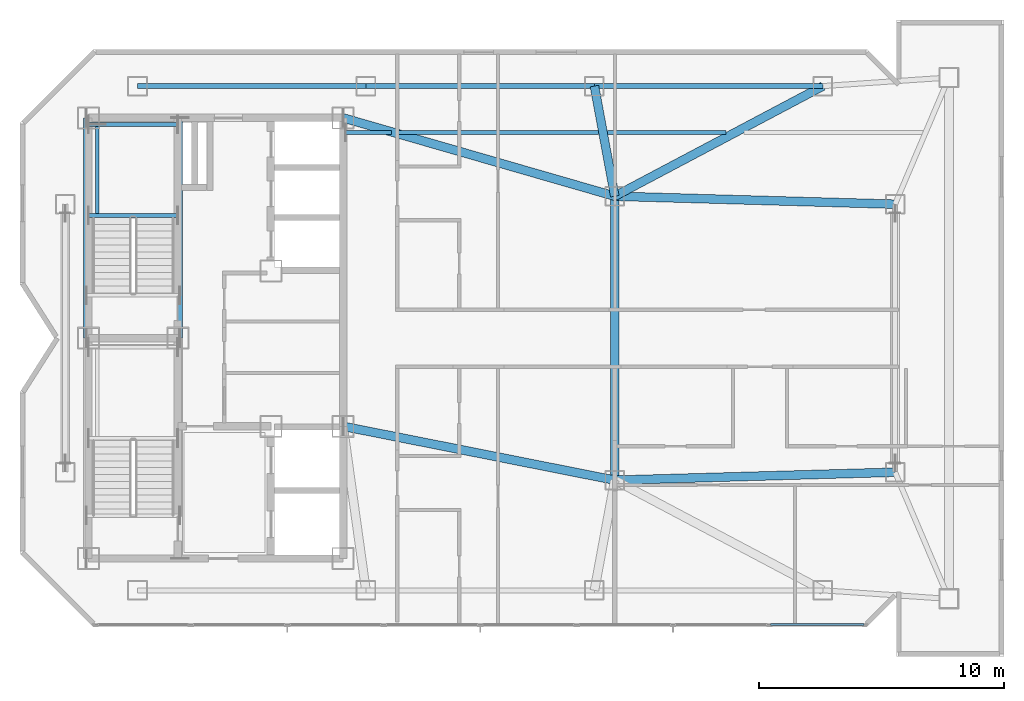
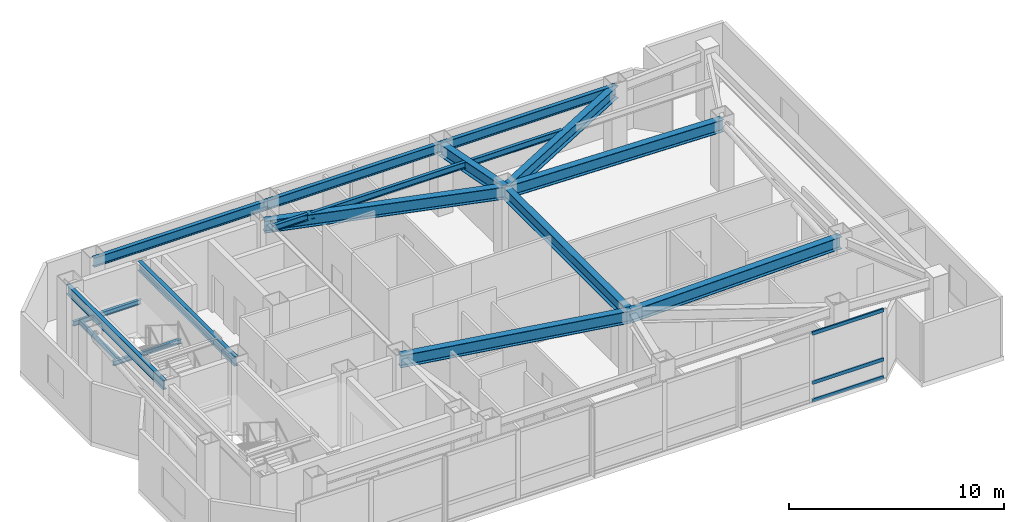
# One storey, part 5 of 12: 18 beams, 3 members, 1 element without a shape of its own.
"""IFC4 building model written with IfcOpenShell, lengths in metres."""

from ifc_helpers import new_model, si_unit, direction, frame, origin, origin_2d, place, context, subcontext, project, spatial, hollow_rectangle, i_section, extrude, material, material_profile, profile_set, type_object, element, aggregate, save


model = new_model("IFC4")

# Units and contexts
model_context = context("Model", 3, precision=1e-05, world=origin(), true_north=direction((0.0, 1.0)))
body_context = subcontext(model_context, "Body", "Model", "MODEL_VIEW")
ifc_project = project(units=[si_unit("LENGTHUNIT", "METRE"), si_unit("AREAUNIT", "SQUARE_METRE"), si_unit("VOLUMEUNIT", "CUBIC_METRE"), si_unit("PLANEANGLEUNIT", "RADIAN"), si_unit("MASSUNIT", "GRAM", prefix="KILO")], contexts=[model_context])

# Site, building, storey
site_placement = place(None, origin())
site = spatial("IfcSite", under=ifc_project, at=site_placement, CompositionType="ELEMENT")
building_placement = place(site_placement, origin())
building = spatial("IfcBuilding", under=site, at=building_placement, Name="Khamvora Tower", CompositionType="ELEMENT")
storey_placement = place(building_placement, frame((0.0, 0.0, 298.85009765625)))
storey = spatial("IfcBuildingStorey", under=building, at=storey_placement, Name="L76", CompositionType="ELEMENT", Elevation=298.85009765625)

# Beams
ifc_material_1 = material(Name="Steel S355", Category="steel")
ifc_material_profile_1 = material_profile(ifc_material_1, i_section(OverallWidth=0.1708984375, OverallDepth=0.35498046875, WebThickness=0.007080078125, FlangeThickness=0.011962890625, FilletRadius=0.010009765625, at=origin_2d()), Name="W360x51")
ifc_profile_set_1 = profile_set([ifc_material_profile_1], Name="Steel S355")
beam_type_1 = type_object("IfcBeamType", Name="BM-JS-W360x51", PredefinedType="JOIST", material=ifc_profile_set_1)
beam_1_placement = place(storey_placement, frame((39.4990234375, 36.39990234375, 3.702880859375), z_axis=(1.0, 0.0, 0.0), x_axis=(0.0, 1.0, 0.0)))
element("IfcBeam", 1, at=beam_1_placement, inside=storey, type_object=beam_type_1, Name="L76 secondary floor joist 04", PredefinedType="JOIST", context=body_context, shape_type="SweptSolid", body=[
    extrude(i_section(OverallWidth=0.1708984375, OverallDepth=0.35498046875, WebThickness=0.007080078125, FlangeThickness=0.011962890625, FilletRadius=0.010009765625, at=origin_2d()), origin(), (0.0, 0.0, 1.0), 1.886962890625),
])
beam_2_placement = place(storey_placement, frame((41.575927734375, 36.39990234375, 3.702880859375), z_axis=(1.0, 0.0, 0.0), x_axis=(0.0, 1.0, 0.0)))
element("IfcBeam", 2, at=beam_2_placement, inside=storey, type_object=beam_type_1, Name="L76 secondary floor joist 05", PredefinedType="JOIST", context=body_context, shape_type="SweptSolid", body=[
    extrude(i_section(OverallWidth=0.1708984375, OverallDepth=0.35498046875, WebThickness=0.007080078125, FlangeThickness=0.011962890625, FilletRadius=0.010009765625, at=origin_2d()), origin(), (0.0, 0.0, 1.0), 8.26708984375),
])
beam_3_placement = place(storey_placement, frame((50.194091796875, 36.39990234375, 3.702880859375), z_axis=(1.0, 0.0, 0.0), x_axis=(0.0, 1.0, 0.0)))
element("IfcBeam", 3, at=beam_3_placement, inside=storey, type_object=beam_type_1, Name="L76 secondary floor joist 06", PredefinedType="JOIST", context=body_context, shape_type="SweptSolid", body=[
    extrude(i_section(OverallWidth=0.1708984375, OverallDepth=0.35498046875, WebThickness=0.007080078125, FlangeThickness=0.011962890625, FilletRadius=0.010009765625, at=origin_2d()), origin(), (0.0, 0.0, 1.0), 4.843017578125),
])
ifc_material_profile_2 = material_profile(ifc_material_1, i_section(OverallWidth=0.14697265625, OverallDepth=0.261962890625, WebThickness=0.007080078125, FlangeThickness=0.010986328125, FilletRadius=0.008056640625, at=origin_2d()), Name="W250x39")
ifc_profile_set_2 = profile_set([ifc_material_profile_2], Name="Steel S355")
beam_type_2 = type_object("IfcBeamType", Name="BM-LN-W250x39", PredefinedType="LINTEL", material=ifc_profile_set_2)
for number, where, z_axis, x_axis, name in (
    (4, (29.0, 33.014892578125, 1.768798828125), (1.0, 0.0, 0.0), (0.0, 1.0, 0.0), "L76 ST-02 half-landing support beam 1.1"),
    (5, (29.0, 36.72998046875, 1.768798828125), (1.0, 0.0, 0.0), (0.0, 1.0, 0.0), "L76 ST-02 half-landing support beam 1.2"),
):
    element("IfcBeam", number, at=place(storey_placement, frame(where, z_axis=z_axis, x_axis=x_axis)), inside=storey, type_object=beam_type_2, Name=name, PredefinedType="LINTEL", context=body_context, shape_type="SweptSolid", body=[
        extrude(i_section(OverallWidth=0.14697265625, OverallDepth=0.261962890625, WebThickness=0.007080078125, FlangeThickness=0.010986328125, FilletRadius=0.008056640625, at=origin_2d()), origin(), (0.0, 0.0, 1.0), 3.64990234375),
    ])
beam_4_placement = place(storey_placement, frame((29.35009765625, 33.014892578125, 1.768798828125), z_axis=(0.0, 1.0, 0.0), x_axis=(-1.0, 0.0, 0.0)))
element("IfcBeam", 6, at=beam_4_placement, inside=storey, type_object=beam_type_2, Name="L76 ST-02 half-landing edge stringer 1", PredefinedType="LINTEL", context=body_context, shape_type="SweptSolid", body=[
    extrude(i_section(OverallWidth=0.14697265625, OverallDepth=0.261962890625, WebThickness=0.007080078125, FlangeThickness=0.010986328125, FilletRadius=0.008056640625, at=origin_2d()), origin(), (0.0, 0.0, 1.0), 3.715087890625),
])
ifc_material_profile_3 = material_profile(ifc_material_1, i_section(OverallWidth=0.35498046875, OverallDepth=0.695068359375, WebThickness=0.014892578125, FlangeThickness=0.02490234375, FilletRadius=0.01611328125, at=origin_2d()), Name="W690x217")
ifc_profile_set_3 = profile_set([ifc_material_profile_3], Name="Steel S355")
beam_type_3 = type_object("IfcBeamType", Name="BM-PG-W690x217", PredefinedType="BEAM", material=ifc_profile_set_3)
beam_5_placement = place(storey_placement, frame((50.5, 22.199951171875, 3.531982421875), z_axis=(0.0, 1.0, 0.0), x_axis=(-1.0, 0.0, 0.0)))
element("IfcBeam", 7, at=beam_5_placement, inside=storey, type_object=beam_type_3, Name="L76 longitudinal frame girder M1-M2", PredefinedType="BEAM", context=body_context, shape_type="SweptSolid", body=[
    extrude(i_section(OverallWidth=0.35498046875, OverallDepth=0.695068359375, WebThickness=0.014892578125, FlangeThickness=0.02490234375, FilletRadius=0.01611328125, at=origin_2d()), origin(), (0.0, 0.0, 1.0), 11.60009765625),
])
beam_6_placement = place(storey_placement, frame((50.5, 33.800048828125, 3.531982421875), z_axis=(-0.182020488605, 0.983294737974, 0.0), x_axis=(-0.983294737974, -0.182020488605, 0.0)))
element("IfcBeam", 8, at=beam_6_placement, inside=storey, type_object=beam_type_3, Name="L76 primary floor girder N3", PredefinedType="BEAM", context=body_context, shape_type="SweptSolid", body=[
    extrude(i_section(OverallWidth=0.35498046875, OverallDepth=0.695068359375, WebThickness=0.014892578125, FlangeThickness=0.02490234375, FilletRadius=0.01611328125, at=origin_2d()), origin(), (0.0, 0.0, 1.0), 4.576416015625),
])
beam_7_placement = place(storey_placement, frame((50.5, 33.800048828125, 3.531982421875), z_axis=(0.883787916347, 0.467887720419, 0.0), x_axis=(-0.467887720419, 0.883787916347, 0.0)))
element("IfcBeam", 9, at=beam_7_placement, inside=storey, type_object=beam_type_3, Name="L76 primary floor girder N4", PredefinedType="BEAM", context=body_context, shape_type="SweptSolid", body=[
    extrude(i_section(OverallWidth=0.35498046875, OverallDepth=0.695068359375, WebThickness=0.014892578125, FlangeThickness=0.02490234375, FilletRadius=0.01611328125, at=origin_2d()), origin(), (0.0, 0.0, 1.0), 9.61767578125),
])
for number, where, z_axis, x_axis, name in (
    (10, (50.5, 22.199951171875, 3.531982421875), (0.999597527046, 0.0283687138, 0.0), (-0.0283687138, 0.999597527046, 0.0), "L76 primary floor girder E1"),
    (11, (50.5, 33.800048828125, 3.531982421875), (0.999597527046, -0.0283687138, 0.0), (0.0283687138, 0.999597527046, 0.0), "L76 primary floor girder E2"),
):
    element("IfcBeam", number, at=place(storey_placement, frame(where, z_axis=z_axis, x_axis=x_axis)), inside=storey, type_object=beam_type_3, Name=name, PredefinedType="BEAM", context=body_context, shape_type="SweptSolid", body=[
        extrude(i_section(OverallWidth=0.35498046875, OverallDepth=0.695068359375, WebThickness=0.014892578125, FlangeThickness=0.02490234375, FilletRadius=0.01611328125, at=origin_2d()), origin(), (0.0, 0.0, 1.0), 11.45458984375),
    ])
beam_8_placement = place(storey_placement, frame((39.39990234375, 24.39990234375, 3.531982421875), z_axis=(0.980920240909, -0.194410598927, 0.0), x_axis=(0.194410598927, 0.980920240909, 0.0)))
element("IfcBeam", 12, at=beam_8_placement, inside=storey, type_object=beam_type_3, Name="L76 primary floor girder M1", PredefinedType="BEAM", context=body_context, shape_type="SweptSolid", body=[
    extrude(i_section(OverallWidth=0.35498046875, OverallDepth=0.695068359375, WebThickness=0.014892578125, FlangeThickness=0.02490234375, FilletRadius=0.01611328125, at=origin_2d()), origin(), (0.0, 0.0, 1.0), 11.31591796875),
])
beam_9_placement = place(storey_placement, frame((39.39990234375, 37.0, 3.531982421875), z_axis=(0.960869684076, -0.277000812677, 0.0), x_axis=(0.277000812677, 0.960869684076, 0.0)))
element("IfcBeam", 13, at=beam_9_placement, inside=storey, type_object=beam_type_3, Name="L76 primary floor girder M2", PredefinedType="BEAM", context=body_context, shape_type="SweptSolid", body=[
    extrude(i_section(OverallWidth=0.35498046875, OverallDepth=0.695068359375, WebThickness=0.014892578125, FlangeThickness=0.02490234375, FilletRadius=0.01611328125, at=origin_2d()), origin(), (0.0, 0.0, 1.0), 11.55224609375),
])
ifc_material_profile_4 = material_profile(ifc_material_1, i_section(OverallWidth=0.208984375, OverallDepth=0.532958984375, WebThickness=0.010009765625, FlangeThickness=0.01611328125, FilletRadius=0.013916015625, at=origin_2d()), Name="W530x92")
ifc_profile_set_4 = profile_set([ifc_material_profile_4], Name="Steel S355")
beam_type_4 = type_object("IfcBeamType", Name="BM-SP-W530x92", PredefinedType="SPANDREL", material=ifc_profile_set_4)
beam_10_placement = place(storey_placement, frame((59.0, 38.300048828125, 3.614013671875), z_axis=(-1.0, 0.0, 0.0), x_axis=(0.0, -1.0, 0.0)))
element("IfcBeam", 14, at=beam_10_placement, inside=storey, type_object=beam_type_4, Name="L76 perimeter spandrel beam N4-N3", PredefinedType="SPANDREL", context=body_context, shape_type="SweptSolid", body=[
    extrude(i_section(OverallWidth=0.208984375, OverallDepth=0.532958984375, WebThickness=0.010009765625, FlangeThickness=0.01611328125, FilletRadius=0.013916015625, at=origin_2d()), origin(), (0.0, 0.0, 1.0), 9.3330078125),
])
beam_11_placement = place(storey_placement, frame((49.6669921875, 38.300048828125, 3.614013671875), z_axis=(-1.0, 0.0, 0.0), x_axis=(0.0, -1.0, 0.0)))
element("IfcBeam", 15, at=beam_11_placement, inside=storey, type_object=beam_type_4, Name="L76 perimeter spandrel beam N3-N2", PredefinedType="SPANDREL", context=body_context, shape_type="SweptSolid", body=[
    extrude(i_section(OverallWidth=0.208984375, OverallDepth=0.532958984375, WebThickness=0.010009765625, FlangeThickness=0.01611328125, FilletRadius=0.013916015625, at=origin_2d()), origin(), (0.0, 0.0, 1.0), 9.333984375),
])
beam_12_placement = place(storey_placement, frame((40.3330078125, 38.300048828125, 3.614013671875), z_axis=(-1.0, 0.0, 0.0), x_axis=(0.0, -1.0, 0.0)))
element("IfcBeam", 16, at=beam_12_placement, inside=storey, type_object=beam_type_4, Name="L76 perimeter spandrel beam N2-N1", PredefinedType="SPANDREL", context=body_context, shape_type="SweptSolid", body=[
    extrude(i_section(OverallWidth=0.208984375, OverallDepth=0.532958984375, WebThickness=0.010009765625, FlangeThickness=0.01611328125, FilletRadius=0.013916015625, at=origin_2d()), origin(), (0.0, 0.0, 1.0), 9.3330078125),
])
for number, where, z_axis, x_axis, name in (
    (17, (28.89990234375, 28.0, 3.614013671875), (0.0, 1.0, 0.0), (-1.0, 0.0, 0.0), "L76 core spine girder WN"),
    (18, (32.72998046875, 28.0, 3.614013671875), (0.0, 1.0, 0.0), (-1.0, 0.0, 0.0), "L76 core spine girder M1N"),
):
    element("IfcBeam", number, at=place(storey_placement, frame(where, z_axis=z_axis, x_axis=x_axis)), inside=storey, type_object=beam_type_4, Name=name, PredefinedType="SPANDREL", context=body_context, shape_type="SweptSolid", body=[
        extrude(i_section(OverallWidth=0.208984375, OverallDepth=0.532958984375, WebThickness=0.010009765625, FlangeThickness=0.01611328125, FilletRadius=0.013916015625, at=origin_2d()), origin(), (0.0, 0.0, 1.0), 9.0),
    ])

# Curtain wall, members
ifc_material_2 = material(Name="Anodised Aluminium 6063-T6", Category="aluminium")
curtain_wall_type = type_object("IfcCurtainWallType", Name="CW-SYS-06", PredefinedType="NOTDEFINED", material=ifc_material_2)
curtain_wall_placement = place(storey_placement, origin())
curtain_wall = element("IfcCurtainWall", 19, at=curtain_wall_placement, inside=storey, type_object=curtain_wall_type, Name="L76 stick curtain wall 01.1", PredefinedType="NOTDEFINED")
ifc_material_profile_5 = material_profile(ifc_material_2, hollow_rectangle(XDim=0.080078125, YDim=0.195068359375, WallThickness=0.0048828125, at=origin_2d()), Name="TRN80x195x5")
ifc_profile_set_5 = profile_set([ifc_material_profile_5], Name="Anodised Aluminium 6063-T6")
member_type = type_object("IfcMemberType", Name="CW-SYS-06-TRN", PredefinedType="USERDEFINED", material=ifc_profile_set_5)
member_1_placement = place(storey_placement, frame((60.678955078125, 16.300048828125, 0.039794921875), z_axis=(-1.0, 0.0, 0.0), x_axis=(0.0, -1.0, 0.0)))
member_1 = element("IfcMember", 20, at=member_1_placement, type_object=member_type, Name="CW-06 transom 1.1", ObjectType="TRANSOM", PredefinedType="USERDEFINED", context=body_context, shape_type="SweptSolid", body=[
    extrude(hollow_rectangle(XDim=0.080078125, YDim=0.195068359375, WallThickness=0.0048828125, at=origin_2d()), origin(), (0.0, 0.0, 1.0), 3.81982421875),
])
member_2_placement = place(storey_placement, frame((60.678955078125, 16.300048828125, 1.0498046875), z_axis=(-1.0, 0.0, 0.0), x_axis=(0.0, -1.0, 0.0)))
member_2 = element("IfcMember", 21, at=member_2_placement, type_object=member_type, Name="CW-06 transom 1.2", ObjectType="TRANSOM", PredefinedType="USERDEFINED", context=body_context, shape_type="SweptSolid", body=[
    extrude(hollow_rectangle(XDim=0.080078125, YDim=0.195068359375, WallThickness=0.0048828125, at=origin_2d()), origin(), (0.0, 0.0, 1.0), 3.81982421875),
])
member_3_placement = place(storey_placement, frame((60.678955078125, 16.300048828125, 3.83984375), z_axis=(-1.0, 0.0, 0.0), x_axis=(0.0, -1.0, 0.0)))
member_3 = element("IfcMember", 22, at=member_3_placement, type_object=member_type, Name="CW-06 transom 1.3", ObjectType="TRANSOM", PredefinedType="USERDEFINED", context=body_context, shape_type="SweptSolid", body=[
    extrude(hollow_rectangle(XDim=0.080078125, YDim=0.195068359375, WallThickness=0.0048828125, at=origin_2d()), origin(), (0.0, 0.0, 1.0), 3.81982421875),
])
aggregate(curtain_wall, [member_1, member_2, member_3])

save(model, "model.ifc")
